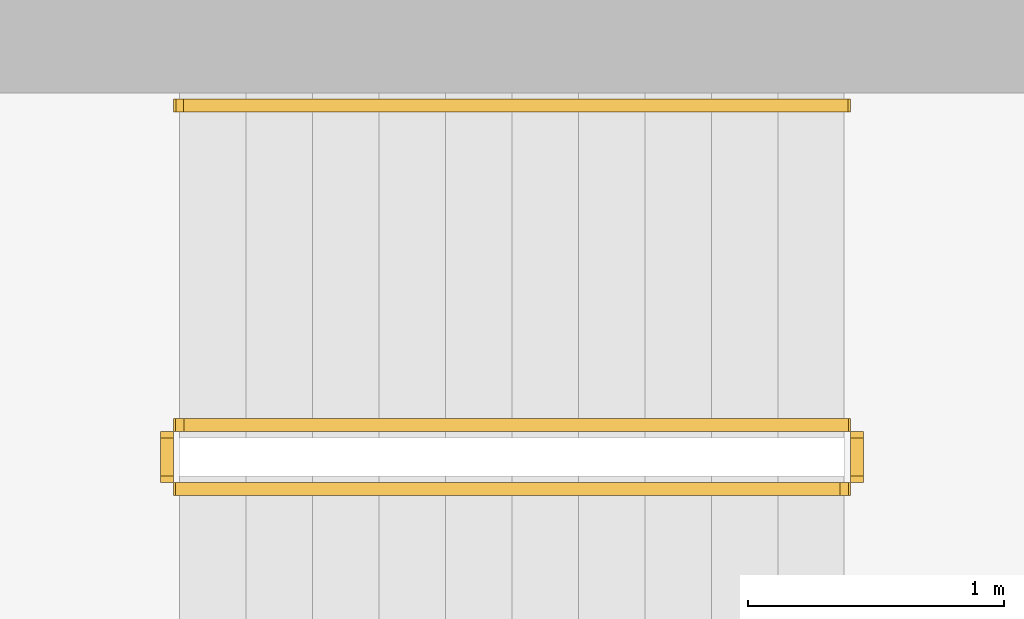
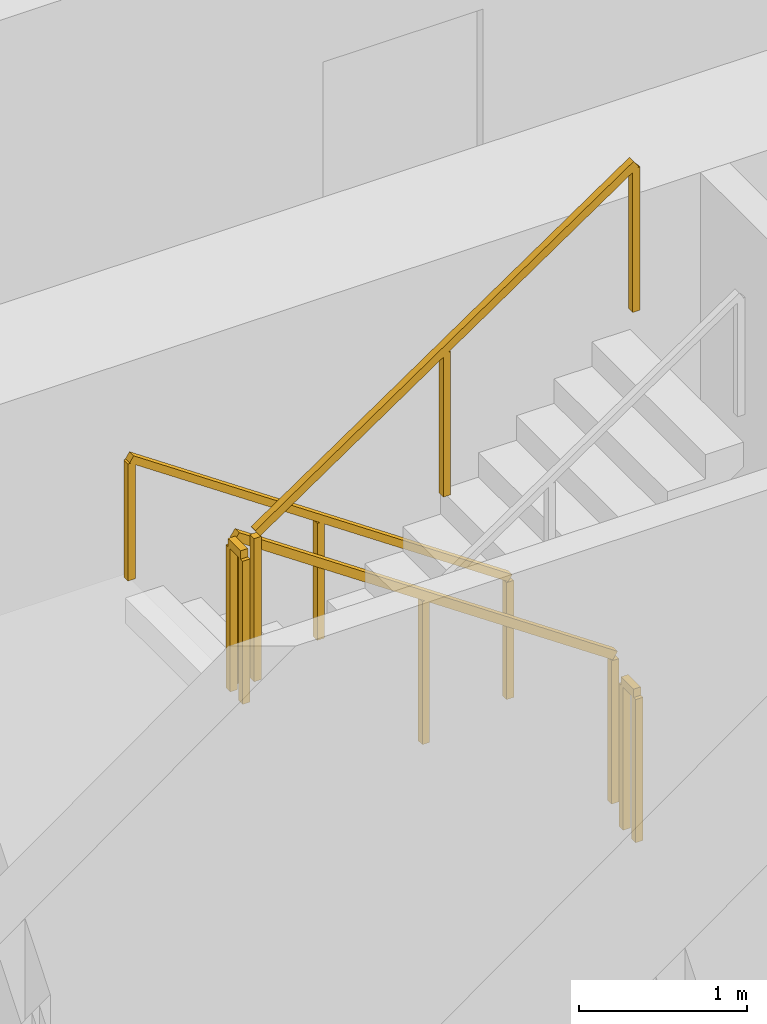
# One storey, part 14 of 15: 5 railings.
"""IFC4 building model written with IfcOpenShell, lengths in metres."""

from ifc_helpers import new_model, si_unit, direction, frame, origin, origin_2d, place, context, subcontext, project, spatial, rectangle, extrude, material, type_object, element, save


model = new_model("IFC4")

# Units and contexts
model_context = context("Model", 3, precision=1e-05, world=origin(), true_north=direction((0.0, 1.0)))
body_context = subcontext(model_context, "Body", "Model", "MODEL_VIEW")
ifc_project = project(units=[si_unit("LENGTHUNIT", "METRE"), si_unit("AREAUNIT", "SQUARE_METRE"), si_unit("VOLUMEUNIT", "CUBIC_METRE"), si_unit("PLANEANGLEUNIT", "RADIAN"), si_unit("MASSUNIT", "GRAM", prefix="KILO")], contexts=[model_context])

# Site, building, storey
site_placement = place(None, origin())
site = spatial("IfcSite", under=ifc_project, at=site_placement, CompositionType="ELEMENT")
building_placement = place(site_placement, origin())
building = spatial("IfcBuilding", under=site, at=building_placement, Name="Khepri Terraces", CompositionType="ELEMENT")
storey_placement = place(building_placement, frame((0.0, 0.0, 34.800048828125)))
storey = spatial("IfcBuildingStorey", under=building, at=storey_placement, Name="L07", CompositionType="ELEMENT", Elevation=34.800048828125)

# Railings
ifc_material = material(Name="Stainless steel 316", Category="steel")
railing_type_1 = type_object("IfcRailingType", Name="RL-CORE-GUARD", PredefinedType="GUARDRAIL", material=ifc_material)
railing_1_placement = place(storey_placement, frame((-0.25, 8.800048828125, 0.17724609375)))
element("IfcRailing", 1, at=railing_1_placement, inside=storey, type_object=railing_type_1, Name="L07 ST-3 stair guard 1", PredefinedType="GUARDRAIL", context=body_context, shape_type="SweptSolid", body=[
    extrude(rectangle(XDim=0.050048828125, YDim=0.06005859375, at=origin_2d()), frame((0.0, 0.0, 1.070068359375), z_axis=(-0.826240473404, 0.0, 0.563317565952), x_axis=(0.0, -1.0, 0.0)), (0.0, 0.0, 1.0), 3.14697265625),
    extrude(rectangle(XDim=0.050048828125, YDim=0.050048828125, at=origin_2d()), origin(), (0.0, 0.0, 1.0), 1.0400390625),
    extrude(rectangle(XDim=0.050048828125, YDim=0.050048828125, at=origin_2d()), frame((-1.300048828125, 0.0, 0.88623046875)), (0.0, 0.0, 1.0), 1.0400390625),
    extrude(rectangle(XDim=0.050048828125, YDim=0.050048828125, at=origin_2d()), frame((-2.60009765625, 0.0, 1.772705078125)), (0.0, 0.0, 1.0), 1.0400390625),
])
railing_2_placement = place(storey_placement, frame((-2.89990234375, 8.75, 1.949951171875)))
element("IfcRailing", 2, at=railing_2_placement, inside=storey, type_object=railing_type_1, Name="L07 ST-3 stair guard 2", PredefinedType="GUARDRAIL", context=body_context, shape_type="SweptSolid", body=[
    extrude(rectangle(XDim=0.050048828125, YDim=0.06005859375, at=origin_2d()), frame((0.0, 0.0, 1.070068359375), z_axis=(0.0, -1.0, 0.0), x_axis=(1.0, 0.0, 0.0)), (0.0, 0.0, 1.0), 0.14990234375),
    extrude(rectangle(XDim=0.050048828125, YDim=0.050048828125, at=origin_2d()), origin(), (0.0, 0.0, 1.0), 1.0400390625),
    extrude(rectangle(XDim=0.050048828125, YDim=0.050048828125, at=origin_2d()), frame((0.0, -0.14990234375, 0.0)), (0.0, 0.0, 1.0), 1.0400390625),
])
railing_3_placement = place(storey_placement, frame((-2.85009765625, 8.550048828125, 2.127197265625)))
element("IfcRailing", 3, at=railing_3_placement, inside=storey, type_object=railing_type_1, Name="L07 ST-3 stair guard 3", PredefinedType="GUARDRAIL", context=body_context, shape_type="SweptSolid", body=[
    extrude(rectangle(XDim=0.050048828125, YDim=0.06005859375, at=origin_2d()), frame((0.0, 0.0, 1.070068359375), z_axis=(0.826240473404, 0.0, 0.563317565952), x_axis=(0.0, 1.0, 0.0)), (0.0, 0.0, 1.0), 3.14697265625),
    extrude(rectangle(XDim=0.050048828125, YDim=0.050048828125, at=origin_2d()), origin(), (0.0, 0.0, 1.0), 1.0400390625),
    extrude(rectangle(XDim=0.050048828125, YDim=0.050048828125, at=origin_2d()), frame((1.300048828125, 0.0, 0.88623046875)), (0.0, 0.0, 1.0), 1.0400390625),
    extrude(rectangle(XDim=0.050048828125, YDim=0.050048828125, at=origin_2d()), frame((2.60009765625, 0.0, 1.772705078125)), (0.0, 0.0, 1.0), 1.0400390625),
])
railing_4_placement = place(storey_placement, frame((-0.199951171875, 8.75, 0.0)))
element("IfcRailing", 4, at=railing_4_placement, inside=storey, type_object=railing_type_1, Name="L07 ST-3 stair guard 4", PredefinedType="GUARDRAIL", context=body_context, shape_type="SweptSolid", body=[
    extrude(rectangle(XDim=0.050048828125, YDim=0.06005859375, at=origin_2d()), frame((0.0, 0.0, 1.070068359375), z_axis=(0.0, -1.0, 0.0), x_axis=(1.0, 0.0, 0.0)), (0.0, 0.0, 1.0), 0.14990234375),
    extrude(rectangle(XDim=0.050048828125, YDim=0.050048828125, at=origin_2d()), origin(), (0.0, 0.0, 1.0), 1.0400390625),
    extrude(rectangle(XDim=0.050048828125, YDim=0.050048828125, at=origin_2d()), frame((0.0, -0.14990234375, 0.0)), (0.0, 0.0, 1.0), 1.0400390625),
])
railing_type_2 = type_object("IfcRailingType", Name="RL-CORE-HANDRAIL", PredefinedType="HANDRAIL", material=ifc_material)
railing_5_placement = place(storey_placement, frame((-0.25, 10.050048828125, 0.17724609375)))
element("IfcRailing", 5, at=railing_5_placement, inside=storey, type_object=railing_type_2, Name="L07 ST-3 stair handrail 1", PredefinedType="HANDRAIL", context=body_context, shape_type="SweptSolid", body=[
    extrude(rectangle(XDim=0.050048828125, YDim=0.050048828125, at=origin_2d()), frame((0.0, 0.0, 0.875), z_axis=(-0.826240473404, 0.0, 0.563317565952), x_axis=(0.0, -1.0, 0.0)), (0.0, 0.0, 1.0), 3.14697265625),
    extrude(rectangle(XDim=0.050048828125, YDim=0.050048828125, at=origin_2d()), origin(), (0.0, 0.0, 1.0), 0.849853515625),
    extrude(rectangle(XDim=0.050048828125, YDim=0.050048828125, at=origin_2d()), frame((-1.300048828125, 0.0, 0.88623046875)), (0.0, 0.0, 1.0), 0.849853515625),
    extrude(rectangle(XDim=0.050048828125, YDim=0.050048828125, at=origin_2d()), frame((-2.60009765625, 0.0, 1.772705078125)), (0.0, 0.0, 1.0), 0.849853515625),
])

save(model, "model.ifc")
